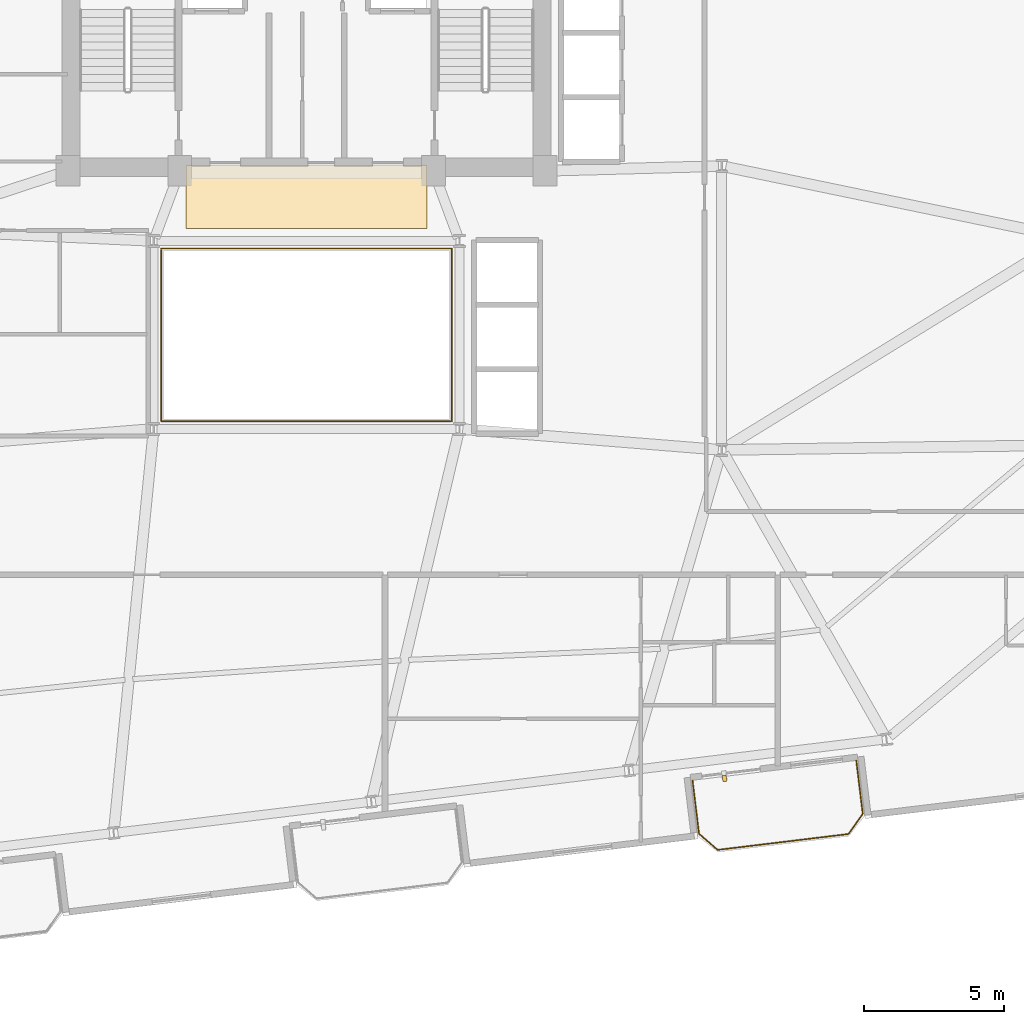
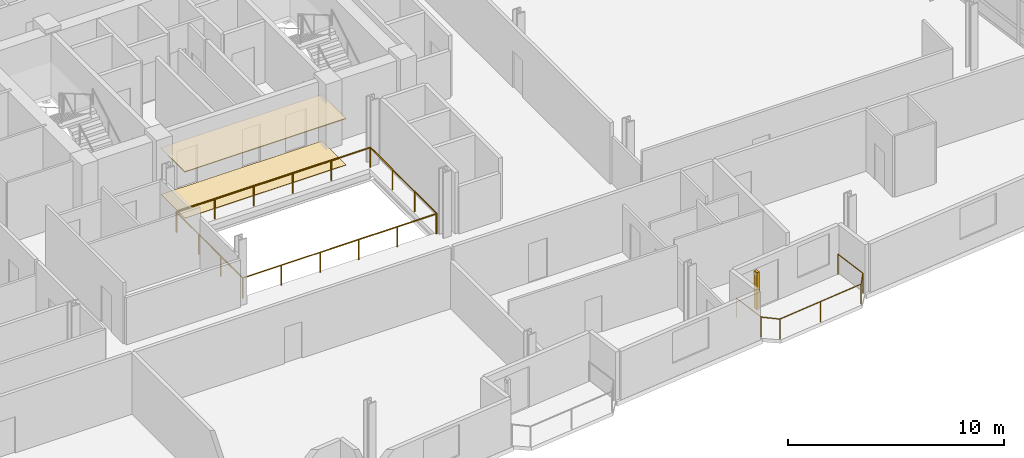
# One storey, part 20 of 22: 3 railings, 2 coverings, 1 shading device.
"""IFC4 building model written with IfcOpenShell, lengths in metres."""

from ifc_helpers import new_model, si_unit, direction, frame, origin, origin_2d, place, context, subcontext, project, spatial, rectangle, circle, extrude, source, transform, mapped, material, layer, layer_set, type_object, element, save


model = new_model("IFC4")

# Units and contexts
model_context = context("Model", 3, precision=1e-05, world=origin(), true_north=direction((0.0, 1.0)))
body_context = subcontext(model_context, "Body", "Model", "MODEL_VIEW")
ifc_project = project(units=[si_unit("LENGTHUNIT", "METRE"), si_unit("AREAUNIT", "SQUARE_METRE"), si_unit("VOLUMEUNIT", "CUBIC_METRE"), si_unit("PLANEANGLEUNIT", "RADIAN"), si_unit("MASSUNIT", "GRAM", prefix="KILO")], contexts=[model_context])

# Site, building, storey
site_placement = place(None, origin())
site = spatial("IfcSite", under=ifc_project, at=site_placement, CompositionType="ELEMENT")
building_placement = place(site_placement, origin())
building = spatial("IfcBuilding", under=site, at=building_placement, Name="Varnelok Gate Tower", CompositionType="ELEMENT")
storey_placement = place(building_placement, frame((0.0, 0.0, 178.300048828125)))
storey = spatial("IfcBuildingStorey", under=building, at=storey_placement, Name="L45", CompositionType="ELEMENT", Elevation=178.300048828125)

# Railings
ifc_material_1 = material(Name="Tempered Laminated Balustrade Glass", Category="glass")
railing_type_1 = type_object("IfcRailingType", Name="RL-ATR-GUARD1150", PredefinedType="GUARDRAIL", material=ifc_material_1)
railing_1_placement = place(storey_placement, frame((34.02001953125, 25.929931640625, 0.0)))
element("IfcRailing", 1, at=railing_1_placement, inside=storey, type_object=railing_type_1, Name="L45 Internal Atrium South-West Guardrail", PredefinedType="GUARDRAIL", context=body_context, shape_type="SweptSolid", body=[
    extrude(circle(Radius=0.02392578125, at=origin_2d()), frame((0.0, 0.0, 1.1259765625), z_axis=(0.0, -1.0, 0.0), x_axis=(1.0, 0.0, 0.0)), (0.0, 0.0, 1.0), 6.10986328125),
    extrude(circle(Radius=0.02392578125, at=origin_2d()), frame((0.0, -6.10986328125, 1.1259765625), z_axis=(1.0, 0.0, 0.0), x_axis=(0.0, 1.0, 0.0)), (0.0, 0.0, 1.0), 10.31005859375),
    extrude(circle(Radius=0.02099609375, at=origin_2d()), origin(), (0.0, 0.0, 1.0), 1.101806640625),
    extrude(circle(Radius=0.02099609375, at=origin_2d()), frame((0.0, -2.03662109375, 0.0)), (0.0, 0.0, 1.0), 1.101806640625),
    extrude(circle(Radius=0.02099609375, at=origin_2d()), frame((0.0, -4.0732421875, 0.0)), (0.0, 0.0, 1.0), 1.101806640625),
    extrude(circle(Radius=0.02099609375, at=origin_2d()), frame((0.0, -6.10986328125, 0.0)), (0.0, 0.0, 1.0), 1.101806640625),
    extrude(circle(Radius=0.02099609375, at=origin_2d()), frame((2.06201171875, -6.10986328125, 0.0)), (0.0, 0.0, 1.0), 1.101806640625),
    extrude(circle(Radius=0.02099609375, at=origin_2d()), frame((4.1240234375, -6.10986328125, 0.0)), (0.0, 0.0, 1.0), 1.101806640625),
    extrude(circle(Radius=0.02099609375, at=origin_2d()), frame((6.18603515625, -6.10986328125, 0.0)), (0.0, 0.0, 1.0), 1.101806640625),
    extrude(circle(Radius=0.02099609375, at=origin_2d()), frame((8.248046875, -6.10986328125, 0.0)), (0.0, 0.0, 1.0), 1.101806640625),
    extrude(circle(Radius=0.02099609375, at=origin_2d()), frame((10.31005859375, -6.10986328125, 0.0)), (0.0, 0.0, 1.0), 1.101806640625),
])
railing_2_placement = place(storey_placement, frame((44.3798828125, 19.820068359375, 0.0)))
element("IfcRailing", 2, at=railing_2_placement, inside=storey, type_object=railing_type_1, Name="L45 Internal Atrium North-East Guardrail", PredefinedType="GUARDRAIL", context=body_context, shape_type="SweptSolid", body=[
    extrude(circle(Radius=0.02392578125, at=origin_2d()), frame((0.0, 0.0, 1.1259765625), z_axis=(0.0, 1.0, 0.0), x_axis=(-1.0, 0.0, 0.0)), (0.0, 0.0, 1.0), 6.159912109375),
    extrude(circle(Radius=0.02392578125, at=origin_2d()), frame((0.0, 6.159912109375, 1.1259765625), z_axis=(-1.0, 0.0, 0.0), x_axis=(0.0, -1.0, 0.0)), (0.0, 0.0, 1.0), 10.35986328125),
    extrude(circle(Radius=0.02099609375, at=origin_2d()), origin(), (0.0, 0.0, 1.0), 1.101806640625),
    extrude(circle(Radius=0.02099609375, at=origin_2d()), frame((0.0, 2.05322265625, 0.0)), (0.0, 0.0, 1.0), 1.101806640625),
    extrude(circle(Radius=0.02099609375, at=origin_2d()), frame((0.0, 4.106689453125, 0.0)), (0.0, 0.0, 1.0), 1.101806640625),
    extrude(circle(Radius=0.02099609375, at=origin_2d()), frame((0.0, 6.159912109375, 0.0)), (0.0, 0.0, 1.0), 1.101806640625),
    extrude(circle(Radius=0.02099609375, at=origin_2d()), frame((-2.072021484375, 6.159912109375, 0.0)), (0.0, 0.0, 1.0), 1.101806640625),
    extrude(circle(Radius=0.02099609375, at=origin_2d()), frame((-4.14404296875, 6.159912109375, 0.0)), (0.0, 0.0, 1.0), 1.101806640625),
    extrude(circle(Radius=0.02099609375, at=origin_2d()), frame((-6.2158203125, 6.159912109375, 0.0)), (0.0, 0.0, 1.0), 1.101806640625),
    extrude(circle(Radius=0.02099609375, at=origin_2d()), frame((-8.287841796875, 6.159912109375, 0.0)), (0.0, 0.0, 1.0), 1.101806640625),
    extrude(circle(Radius=0.02099609375, at=origin_2d()), frame((-10.35986328125, 6.159912109375, 0.0)), (0.0, 0.0, 1.0), 1.101806640625),
])
ifc_material_2 = material(Name="Low-E Laminated Double Glazing IGU", Category="glass")
railing_type_2 = type_object("IfcRailingType", Name="RL-BALC-1150", PredefinedType="BALUSTRADE", material=ifc_material_2)
railing_3_placement = place(storey_placement, frame((52.95947265625, 7.023193359375, 0.0)))
element("IfcRailing", 3, at=railing_3_placement, inside=storey, type_object=railing_type_2, Name="L45 South Terrace Balustrade 3", PredefinedType="BALUSTRADE", context=body_context, shape_type="SweptSolid", body=[
    extrude(circle(Radius=0.02392578125, at=origin_2d()), frame((0.0, 0.0, 1.1259765625), z_axis=(0.12040351024, -0.992725034802, 0.0), x_axis=(0.992725034802, 0.12040351024, 0.0)), (0.0, 0.0, 1.0), 1.920166015625),
    extrude(circle(Radius=0.02392578125, at=origin_2d()), frame((0.231201171875, -1.90625, 1.1259765625), z_axis=(0.756303655992, -0.654220742513, 0.0), x_axis=(0.654220742513, 0.756303655992, 0.0)), (0.0, 0.0, 1.0), 0.877685546875),
    extrude(circle(Radius=0.02392578125, at=origin_2d()), frame((0.89501953125, -2.48046875, 1.1259765625), z_axis=(0.99273133746, 0.120351533534, 0.0), x_axis=(-0.120351533534, 0.99273133746, 0.0)), (0.0, 0.0, 1.0), 4.7001953125),
    extrude(circle(Radius=0.02392578125, at=origin_2d()), frame((5.56103515625, -1.914794921875, 1.1259765625), z_axis=(0.577971037086, 0.816057277579, 0.0), x_axis=(-0.816057277579, 0.577971037086, 0.0)), (0.0, 0.0, 1.0), 0.877685546875),
    extrude(circle(Radius=0.02392578125, at=origin_2d()), frame((6.068359375, -1.198486328125, 1.1259765625), z_axis=(-0.120293392036, 0.992738384386, 0.0), x_axis=(-0.992738384386, -0.120293392036, 0.0)), (0.0, 0.0, 1.0), 1.919921875),
    extrude(circle(Radius=0.02099609375, at=origin_2d()), origin(), (0.0, 0.0, 1.0), 1.101806640625),
    extrude(circle(Radius=0.02099609375, at=origin_2d()), frame((0.231201171875, -1.90625, 0.0)), (0.0, 0.0, 1.0), 1.101806640625),
    extrude(circle(Radius=0.02099609375, at=origin_2d()), frame((0.89501953125, -2.48046875, 0.0)), (0.0, 0.0, 1.0), 1.101806640625),
    extrude(circle(Radius=0.02099609375, at=origin_2d()), frame((3.22802734375, -2.19775390625, 0.0)), (0.0, 0.0, 1.0), 1.101806640625),
    extrude(circle(Radius=0.02099609375, at=origin_2d()), frame((5.56103515625, -1.914794921875, 0.0)), (0.0, 0.0, 1.0), 1.101806640625),
    extrude(circle(Radius=0.02099609375, at=origin_2d()), frame((6.068359375, -1.198486328125, 0.0)), (0.0, 0.0, 1.0), 1.101806640625),
    extrude(circle(Radius=0.02099609375, at=origin_2d()), frame((5.83740234375, 0.70751953125, 0.0)), (0.0, 0.0, 1.0), 1.101806640625),
])

# Shading device
ifc_material_3 = material(Name="Glazed Architectural Terracotta Ceramic", Category="masonry")
shading_device_type = type_object("IfcShadingDeviceType", Name="SHD-TERRA-FIN", PredefinedType="USERDEFINED", material=ifc_material_3)
shared_shape_1 = source(origin(), body_context, "Body", "SweptSolid", [
    extrude(rectangle(XDim=0.139892578125, YDim=0.219970703125, at=origin_2d()), origin(), (0.0, 0.0, 1.0), 2.10009765625),
])
shading_device_placement = place(storey_placement, frame((54.099609375, 7.0908203125, 0.099853515625), z_axis=(0.0, 0.0, 1.0), x_axis=(0.992732158755, 0.12034475881, 0.0)))
element("IfcShadingDevice", 4, at=shading_device_placement, inside=storey, type_object=shading_device_type, Name="L45 Terracotta Ceramic Baguette Sunscreen 3.1", ObjectType="BAGUETTE", PredefinedType="USERDEFINED", context=body_context, shape_type="MappedRepresentation", body=[
    mapped(shared_shape_1, transform((0.0, 0.0, 0.0), scale=1.0)),
])

# Coverings
ifc_material_4 = material(Name="Honed Travertine Stone Flooring", Category="masonry")
ifc_layer_1 = layer(ifc_material_4, 0.02490234375)
ifc_layer_set_1 = layer_set([ifc_layer_1], Name="Honed Travertine Stone Flooring")
covering_type_1 = type_object("IfcCoveringType", Name="COV-FLOR-STONE", PredefinedType="FLOORING", material=ifc_layer_set_1)
shared_shape_2 = source(origin(), body_context, "Body", "SweptSolid", [
    extrude(rectangle(XDim=8.60009765625, YDim=2.219970703125, at=origin_2d()), origin(), (0.0, 0.0, 1.0), 0.02490234375),
])
covering_1_placement = place(storey_placement, frame((39.199951171875, 27.800048828125, 0.0), z_axis=(0.0, 0.0, 1.0), x_axis=(1.0, 0.0, 0.0)))
element("IfcCovering", 5, at=covering_1_placement, inside=storey, type_object=covering_type_1, Name="L45 Core Gallery Stone Flooring", PredefinedType="FLOORING", context=body_context, shape_type="MappedRepresentation", body=[
    mapped(shared_shape_2, transform((0.0, 0.0, 0.0), scale=1.0)),
])
ifc_material_5 = material(Name="Mineral Fiber Acoustic Ceiling Tile")
ifc_layer_2 = layer(ifc_material_5, 0.0400390625)
ifc_layer_set_2 = layer_set([ifc_layer_2], Name="Mineral Fiber Acoustic Ceiling Tile")
covering_type_2 = type_object("IfcCoveringType", Name="COV-CEIL-ACOUST", PredefinedType="CEILING", material=ifc_layer_set_2)
shared_shape_3 = source(origin(), body_context, "Body", "SweptSolid", [
    extrude(rectangle(XDim=8.60009765625, YDim=2.239990234375, at=origin_2d()), origin(), (0.0, 0.0, 1.0), 0.0400390625),
])
covering_2_placement = place(storey_placement, frame((39.199951171875, 27.820068359375, 2.599853515625), z_axis=(0.0, 0.0, 1.0), x_axis=(1.0, 0.0, 0.0)))
element("IfcCovering", 6, at=covering_2_placement, inside=storey, type_object=covering_type_2, Name="L45 Core Gallery Acoustic Ceiling", PredefinedType="CEILING", context=body_context, shape_type="MappedRepresentation", body=[
    mapped(shared_shape_3, transform((0.0, 0.0, 0.0), scale=1.0)),
])

save(model, "model.ifc")
